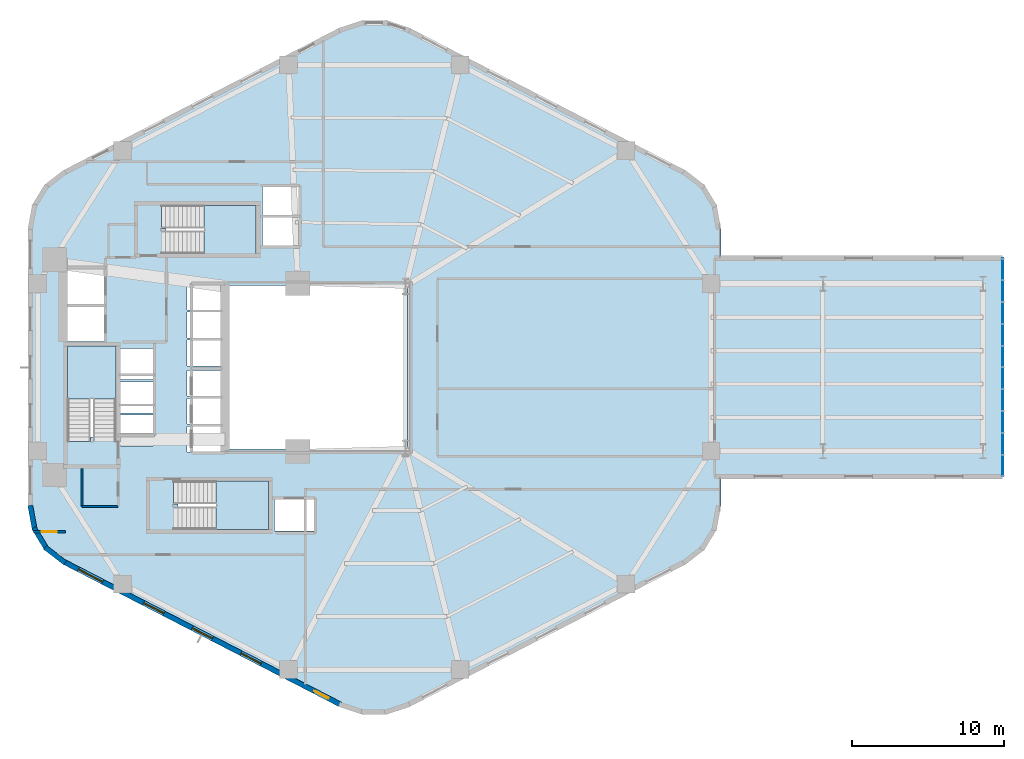
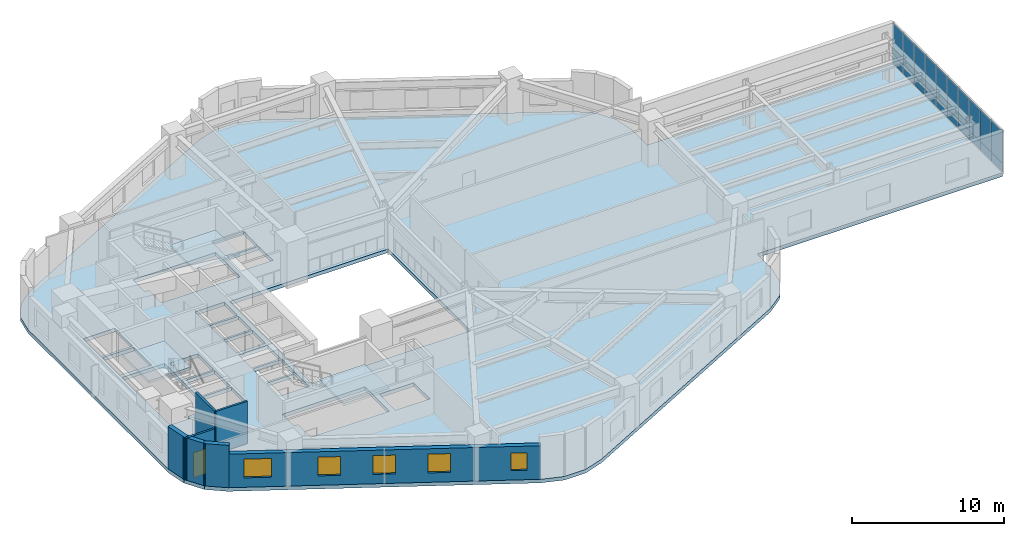
# One storey, part 4 of 10: 20 plates, 7 walls, 5 windows, 4 slabs, 1 door, 6 openings, 4 elements without a shape of their own.
"""IFC4 building model written with IfcOpenShell, lengths in metres."""

import ifcopenshell
import ifcopenshell.guid

model = None  # the IFC model being written
_history = None  # IfcOwnerHistory: only IFC2X3 demands one
_inside = {}  # id of a spatial element -> (the spatial element, [elements in it])
_under = {}  # id of a project, library or spatial element -> (it, [spatial elements below it])
_declared = {}  # id of a project -> (the project, [libraries it declares])
_typed = {}  # id of a type object -> (the type object, [elements of that type])
_made_of = {}  # id of a material, layer set ... -> (it, [elements and type objects made of it])


def new_model(schema):
    """Start an empty IFC model of exactly this schema.

    Asked for "IFC4X3", IfcOpenShell would pick the latest addendum, in which some entities
    have other attributes; the version numbers below select the first issue.
    IFC2X3 requires an IfcOwnerHistory on every rooted entity: one is made here for all.
    """
    global model, _history
    if schema == "IFC4X3":
        model = ifcopenshell.file(schema_version=(4, 3, 0, 0))
    else:
        model = ifcopenshell.file(schema=schema)
    _inside.clear()
    _under.clear()
    _declared.clear()
    _typed.clear()
    _made_of.clear()
    _history = None
    if model.schema == "IFC2X3":
        org = make("IfcOrganization", Name="unknown")
        user = make(
            "IfcPersonAndOrganization",
            ThePerson=make("IfcPerson", FamilyName="unknown"),
            TheOrganization=org,
        )
        app = make(
            "IfcApplication",
            ApplicationDeveloper=org,
            Version="unknown",
            ApplicationFullName="unknown",
            ApplicationIdentifier="unknown",
        )
        _history = make(
            "IfcOwnerHistory",
            OwningUser=user,
            OwningApplication=app,
            ChangeAction="ADDED",
            CreationDate=0,
        )
    return model


def make(cls, **values):
    """One entity of the class cls with the attributes given. An attribute that is None is left unset."""
    return model.create_entity(
        cls, **{name: value for name, value in values.items() if value is not None}
    )


def rooted(cls, **values):
    """An entity with a GlobalId (a new one), such as an element, a storey or a relation."""
    return make(cls, GlobalId=ifcopenshell.guid.new(), OwnerHistory=_history, **values)


def si_unit(unit_type, name, prefix=None):
    """IfcSIUnit, for example si_unit("LENGTHUNIT", "METRE", prefix="MILLI")."""
    return make("IfcSIUnit", UnitType=unit_type, Prefix=prefix, Name=name)


def assignment(units):
    """IfcUnitAssignment: the units of a project."""
    return None if units is None else make("IfcUnitAssignment", Units=units)


def point(xyz):
    """IfcCartesianPoint."""
    return None if xyz is None else make("IfcCartesianPoint", Coordinates=xyz)


def direction(xyz):
    """IfcDirection."""
    return None if xyz is None else make("IfcDirection", DirectionRatios=xyz)


def frame(location, z_axis=None, x_axis=None):
    """IfcAxis2Placement3D, a coordinate frame: its origin and axes. An axis left out is left unset."""
    return make(
        "IfcAxis2Placement3D",
        Location=point(location),
        Axis=direction(z_axis),
        RefDirection=direction(x_axis),
    )


def frame_2d(location, x_axis=None):
    """IfcAxis2Placement2D, a coordinate frame in the plane: its origin and x axis."""
    return make(
        "IfcAxis2Placement2D", Location=point(location), RefDirection=direction(x_axis)
    )


def origin():
    """The frame at (0, 0, 0) with its axes left unset."""
    return frame((0.0, 0.0, 0.0))


def origin_2d():
    """The frame at (0, 0) in the plane with its x axis left unset."""
    return frame_2d((0.0, 0.0))


def place(relative_to, where):
    """IfcLocalPlacement: puts the frame where relative to a parent placement (None: the world)."""
    return make(
        "IfcLocalPlacement", PlacementRelTo=relative_to, RelativePlacement=where
    )


def context(
    kind, dimensions, precision=None, world=None, true_north=None, identifier=None
):
    """IfcGeometricRepresentationContext, for example the 3D "Model" context."""
    return make(
        "IfcGeometricRepresentationContext",
        ContextIdentifier=identifier,
        ContextType=kind,
        CoordinateSpaceDimension=dimensions,
        Precision=precision,
        WorldCoordinateSystem=world,
        TrueNorth=true_north,
    )


def subcontext(parent, identifier, kind, view, scale=None):
    """IfcGeometricRepresentationSubContext, for example "Body" below "Model"."""
    return make(
        "IfcGeometricRepresentationSubContext",
        ContextIdentifier=identifier,
        ContextType=kind,
        ParentContext=parent,
        TargetScale=scale,
        TargetView=view,
    )


def project(units=None, contexts=None):
    """IfcProject with its units and contexts."""
    return rooted(
        "IfcProject",
        Name="project",
        RepresentationContexts=contexts,
        UnitsInContext=assignment(units),
    )


def spatial(cls, under=None, at=None, **own):
    """A site, building, storey or space (cls), placed at a placement, below another one or the project."""
    s = rooted(cls, ObjectPlacement=at, **own)
    if under is not None:
        _under.setdefault(under.id(), (under, []))[1].append(s)
    return s


def polyline(points):
    """IfcPolyline through the points."""
    return make("IfcPolyline", Points=[point(p) for p in points])


def profile(cls, at=None, kind="AREA", **sizes):
    """A parametric profile (cls). Its sizes go by their IFC names, for example OverallWidth=200.0."""
    return make(cls, ProfileType=kind, Position=at, **sizes)


def rectangle(**sizes):
    """IfcRectangleProfileDef."""
    return profile("IfcRectangleProfileDef", **sizes)


def outline(outer, holes=None, kind="AREA"):
    """IfcArbitraryClosedProfileDef: a profile drawn as a closed curve; with holes, ...WithVoids."""
    if holes is None:
        return make("IfcArbitraryClosedProfileDef", ProfileType=kind, OuterCurve=outer)
    return make(
        "IfcArbitraryProfileDefWithVoids",
        ProfileType=kind,
        OuterCurve=outer,
        InnerCurves=holes,
    )


def extrude(swept, where, along, depth):
    """IfcExtrudedAreaSolid: the profile swept, set in the frame where, extruded along a direction by depth."""
    return make(
        "IfcExtrudedAreaSolid",
        SweptArea=swept,
        Position=where,
        ExtrudedDirection=direction(along),
        Depth=depth,
    )


def shape(context_of_items, identifier, shape_type, items):
    """IfcShapeRepresentation: the items that make up one representation, for example the "Body"."""
    return make(
        "IfcShapeRepresentation",
        ContextOfItems=context_of_items,
        RepresentationIdentifier=identifier,
        RepresentationType=shape_type,
        Items=items,
    )


def material(Name=None, Category=None):
    """IfcMaterial."""
    return make("IfcMaterial", Name=Name, Category=Category)


def layer(
    of_material, thickness, ventilated=None, Name=None, Category=None, Priority=None
):
    """IfcMaterialLayer: one layer of a wall or slab, of a material (None: an air gap)."""
    return make(
        "IfcMaterialLayer",
        Material=of_material,
        LayerThickness=thickness,
        IsVentilated=ventilated,
        Name=Name,
        Category=Category,
        Priority=Priority,
    )


def layer_set(layers, Name=None):
    """IfcMaterialLayerSet."""
    return make("IfcMaterialLayerSet", MaterialLayers=layers, LayerSetName=Name)


def made_of(thing, what):
    """Note that an element or type object is made of a material, layer set ...; save() writes the relation."""
    if what is not None:
        _made_of.setdefault(what.id(), (what, []))[1].append(thing)
    return thing


def type_object(cls, material=None, **own):
    """A type object (cls), such as IfcWallType, which elements share."""
    return made_of(rooted(cls, **own), material)


def element(
    cls,
    number,
    at=None,
    inside=None,
    cuts=None,
    type_object=None,
    material=None,
    context=None,
    identifier="Body",
    shape_type=None,
    held_by="IfcProductDefinitionShape",
    body=None,
    shapes=None,
    **own,
):
    """One element of the class cls, such as IfcWall. Its Tag is "e" and its number.

    at: its placement. inside: the storey or other place that contains it. cuts: it is an
    opening in that element (IfcRelVoidsElement). A single representation is given by context,
    identifier, shape_type and body (its items); several are given by shapes. held_by: the class
    of the entity that holds the representations. save() writes the other relations.
    """
    e = rooted(cls, Tag="e%d" % number, ObjectPlacement=at, **own)
    if body is not None:
        shapes = [shape(context, identifier, shape_type, body)]
    if shapes is not None:
        e.Representation = make(held_by, Representations=shapes)
    if inside is not None:
        _inside.setdefault(inside.id(), (inside, []))[1].append(e)
    if cuts is not None:
        rooted(
            "IfcRelVoidsElement", RelatingBuildingElement=cuts, RelatedOpeningElement=e
        )
    if type_object is not None:
        _typed.setdefault(type_object.id(), (type_object, []))[1].append(e)
    return made_of(e, material)


def fill(opening, filler):
    """IfcRelFillsElement: the door or window that sits in an opening."""
    return rooted(
        "IfcRelFillsElement",
        RelatingOpeningElement=opening,
        RelatedBuildingElement=filler,
    )


def aggregate(whole, parts):
    """IfcRelAggregates: a whole, such as a stair, and the parts it consists of."""
    return rooted("IfcRelAggregates", RelatingObject=whole, RelatedObjects=parts)


def save(model, path):
    """Write the relations noted so far, then the file.

    IfcRelAggregates (storeys below a building ...), IfcRelContainedInSpatialStructure (elements
    in a storey), IfcRelDefinesByType, IfcRelAssociatesMaterial and IfcRelDeclares: one each for
    every whole, place, type object, material and project.
    """
    for whole, parts in _under.values():
        aggregate(whole, parts)
    for where, things in _inside.values():
        rooted(
            "IfcRelContainedInSpatialStructure",
            RelatedElements=things,
            RelatingStructure=where,
        )
    for kind, things in _typed.values():
        rooted("IfcRelDefinesByType", RelatedObjects=things, RelatingType=kind)
    for what, things in _made_of.values():
        rooted("IfcRelAssociatesMaterial", RelatedObjects=things, RelatingMaterial=what)
    for by, libraries in _declared.values():
        rooted("IfcRelDeclares", RelatingContext=by, RelatedDefinitions=libraries)
    model.write(path)


model = new_model("IFC4")

# Units and contexts
model_context = context("Model", 3, precision=1e-05, world=origin(), true_north=direction((0.0, 1.0)))
body_context = subcontext(model_context, "Body", "Model", "MODEL_VIEW")
ifc_project = project(units=[si_unit("LENGTHUNIT", "METRE"), si_unit("AREAUNIT", "SQUARE_METRE"), si_unit("VOLUMEUNIT", "CUBIC_METRE"), si_unit("PLANEANGLEUNIT", "RADIAN"), si_unit("MASSUNIT", "GRAM", prefix="KILO"), si_unit("THERMODYNAMICTEMPERATUREUNIT", "KELVIN"), si_unit("POWERUNIT", "WATT")], contexts=[model_context])

# Site, building, storey
site_placement = place(None, origin())
site = spatial("IfcSite", under=ifc_project, at=site_placement, CompositionType="ELEMENT")
building_placement = place(site_placement, origin())
building = spatial("IfcBuilding", under=site, at=building_placement, Name="Skarre Station Tower", CompositionType="ELEMENT")
storey_placement = place(building_placement, frame((0.0, 0.0, 59.85009765625)))
storey = spatial("IfcBuildingStorey", under=building, at=storey_placement, Name="L15", CompositionType="ELEMENT", Elevation=59.85009765625)

# Curtain wall, plates
ifc_material_1 = material(Name="Thermally Broken Bronze-Anodized Aluminium & Triple Low-E Glass", Category="aluminium")
ifc_layer_1 = layer(ifc_material_1, 0.2099609375, Name="Thermally Broken Bronze-Anodized Aluminium & Triple Low-E Glass")
ifc_layer_set_1 = layer_set([ifc_layer_1], Name="Thermally Broken Bronze-Anodized Aluminium & Triple Low-E Glass")
curtain_wall_type = type_object("IfcCurtainWallType", Name="Sky-Bar Prow Structural Glazed Curtain Wall", PredefinedType="NOTDEFINED", material=ifc_layer_set_1)
curtain_wall_placement = place(storey_placement, origin())
curtain_wall = element("IfcCurtainWall", 1, at=curtain_wall_placement, inside=storey, type_object=curtain_wall_type, Name="L15 SB-1 Lakefront Prow Curtain Wall", PredefinedType="NOTDEFINED")
ifc_material_2 = material(Name="Insulated Bronze Anodized Aluminium Spandrel", Category="aluminium")
ifc_layer_2 = layer(ifc_material_2, 0.052001953125, Name="Insulated Bronze Anodized Aluminium Spandrel")
ifc_layer_set_2 = layer_set([ifc_layer_2], Name="Insulated Bronze Anodized Aluminium Spandrel")
plate_type_1 = type_object("IfcPlateType", Name="Bronze Insulated Spandrel Sheet Panel 52", PredefinedType="SHEET", material=ifc_layer_set_2)
plate_1_placement = place(storey_placement, frame((78.863037109375, 30.47998046875, 0.052001953125), z_axis=(0.0, 0.0, 1.0), x_axis=(0.0, -1.0, 0.0)))
plate_1 = element("IfcPlate", 2, at=plate_1_placement, type_object=plate_type_1, Name="L15 SB-1 Lakefront Prow Curtain Wall Spandrel Panel 1-1", PredefinedType="SHEET", context=body_context, shape_type="SweptSolid", body=[
    extrude(rectangle(XDim=1.416015625, YDim=0.052001953125, at=origin_2d()), origin(), (0.0, 0.0, 1.0), 0.68603515625),
])
plate_2_placement = place(storey_placement, frame((78.863037109375, 29.0400390625, 0.052001953125), z_axis=(0.0, 0.0, 1.0), x_axis=(0.0, -1.0, 0.0)))
plate_2 = element("IfcPlate", 3, at=plate_2_placement, type_object=plate_type_1, Name="L15 SB-1 Lakefront Prow Curtain Wall Spandrel Panel 2-1", PredefinedType="SHEET", context=body_context, shape_type="SweptSolid", body=[
    extrude(rectangle(XDim=1.416015625, YDim=0.052001953125, at=origin_2d()), origin(), (0.0, 0.0, 1.0), 0.68603515625),
])
plate_3_placement = place(storey_placement, frame((78.863037109375, 27.60009765625, 0.052001953125), z_axis=(0.0, 0.0, 1.0), x_axis=(0.0, -1.0, 0.0)))
plate_3 = element("IfcPlate", 4, at=plate_3_placement, type_object=plate_type_1, Name="L15 SB-1 Lakefront Prow Curtain Wall Spandrel Panel 3-1", PredefinedType="SHEET", context=body_context, shape_type="SweptSolid", body=[
    extrude(rectangle(XDim=1.416015625, YDim=0.052001953125, at=origin_2d()), origin(), (0.0, 0.0, 1.0), 0.68603515625),
])
plate_4_placement = place(storey_placement, frame((78.863037109375, 26.159912109375, 0.052001953125), z_axis=(0.0, 0.0, 1.0), x_axis=(0.0, -1.0, 0.0)))
plate_4 = element("IfcPlate", 5, at=plate_4_placement, type_object=plate_type_1, Name="L15 SB-1 Lakefront Prow Curtain Wall Spandrel Panel 4-1", PredefinedType="SHEET", context=body_context, shape_type="SweptSolid", body=[
    extrude(rectangle(XDim=1.416015625, YDim=0.052001953125, at=origin_2d()), origin(), (0.0, 0.0, 1.0), 0.68603515625),
])
plate_5_placement = place(storey_placement, frame((78.863037109375, 24.719970703125, 0.052001953125), z_axis=(0.0, 0.0, 1.0), x_axis=(0.0, -1.0, 0.0)))
plate_5 = element("IfcPlate", 6, at=plate_5_placement, type_object=plate_type_1, Name="L15 SB-1 Lakefront Prow Curtain Wall Spandrel Panel 5-1", PredefinedType="SHEET", context=body_context, shape_type="SweptSolid", body=[
    extrude(rectangle(XDim=1.416015625, YDim=0.052001953125, at=origin_2d()), origin(), (0.0, 0.0, 1.0), 0.68603515625),
])
plate_6_placement = place(storey_placement, frame((78.863037109375, 23.280029296875, 0.052001953125), z_axis=(0.0, 0.0, 1.0), x_axis=(0.0, -1.0, 0.0)))
plate_6 = element("IfcPlate", 7, at=plate_6_placement, type_object=plate_type_1, Name="L15 SB-1 Lakefront Prow Curtain Wall Spandrel Panel 6-1", PredefinedType="SHEET", context=body_context, shape_type="SweptSolid", body=[
    extrude(rectangle(XDim=1.416015625, YDim=0.052001953125, at=origin_2d()), origin(), (0.0, 0.0, 1.0), 0.68603515625),
])
plate_7_placement = place(storey_placement, frame((78.863037109375, 21.840087890625, 0.052001953125), z_axis=(0.0, 0.0, 1.0), x_axis=(0.0, -1.0, 0.0)))
plate_7 = element("IfcPlate", 8, at=plate_7_placement, type_object=plate_type_1, Name="L15 SB-1 Lakefront Prow Curtain Wall Spandrel Panel 7-1", PredefinedType="SHEET", context=body_context, shape_type="SweptSolid", body=[
    extrude(rectangle(XDim=1.416015625, YDim=0.052001953125, at=origin_2d()), origin(), (0.0, 0.0, 1.0), 0.68603515625),
])
plate_8_placement = place(storey_placement, frame((78.863037109375, 20.39990234375, 0.052001953125), z_axis=(0.0, 0.0, 1.0), x_axis=(0.0, -1.0, 0.0)))
plate_8 = element("IfcPlate", 9, at=plate_8_placement, type_object=plate_type_1, Name="L15 SB-1 Lakefront Prow Curtain Wall Spandrel Panel 8-1", PredefinedType="SHEET", context=body_context, shape_type="SweptSolid", body=[
    extrude(rectangle(XDim=1.416015625, YDim=0.052001953125, at=origin_2d()), origin(), (0.0, 0.0, 1.0), 0.68603515625),
])
plate_9_placement = place(storey_placement, frame((78.863037109375, 18.9599609375, 0.052001953125), z_axis=(0.0, 0.0, 1.0), x_axis=(0.0, -1.0, 0.0)))
plate_9 = element("IfcPlate", 10, at=plate_9_placement, type_object=plate_type_1, Name="L15 SB-1 Lakefront Prow Curtain Wall Spandrel Panel 9-1", PredefinedType="SHEET", context=body_context, shape_type="SweptSolid", body=[
    extrude(rectangle(XDim=1.416015625, YDim=0.052001953125, at=origin_2d()), origin(), (0.0, 0.0, 1.0), 0.68603515625),
])
plate_10_placement = place(storey_placement, frame((78.863037109375, 17.52001953125, 0.052001953125), z_axis=(0.0, 0.0, 1.0), x_axis=(0.0, -1.0, 0.0)))
plate_10 = element("IfcPlate", 11, at=plate_10_placement, type_object=plate_type_1, Name="L15 SB-1 Lakefront Prow Curtain Wall Spandrel Panel 10-1", PredefinedType="SHEET", context=body_context, shape_type="SweptSolid", body=[
    extrude(rectangle(XDim=1.416015625, YDim=0.052001953125, at=origin_2d()), origin(), (0.0, 0.0, 1.0), 0.68603515625),
])

# Stair, slab
ifc_material_3 = material(Name="Concrete C40/50", Category="concrete")
stair_type_1 = type_object("IfcStairType", Name="Reinforced Concrete Exit Stair ST-1", PredefinedType="HALF_TURN_STAIR", material=ifc_material_3)
stair_1_placement = place(storey_placement, origin())
stair_1 = element("IfcStair", 12, at=stair_1_placement, inside=storey, type_object=stair_type_1, Name="L15 Core Exit Stair ST-1", PredefinedType="HALF_TURN_STAIR")
ifc_layer_3 = layer(ifc_material_3, 0.219970703125, Name="Concrete C40/50")
ifc_layer_set_3 = layer_set([ifc_layer_3], Name="Concrete C40/50")
slab_type_1 = type_object("IfcSlabType", Name="Reinforced Concrete Stair & Ramp Landing 220", PredefinedType="LANDING", material=ifc_layer_set_3)
slab_1_placement = place(storey_placement, frame((0.0, 0.0, 1.625)))
slab_1 = element("IfcSlab", 13, at=slab_1_placement, type_object=slab_type_1, Name="ST-1 landing 1", PredefinedType="LANDING", context=body_context, shape_type="SweptSolid", body=[
    extrude(outline(polyline([(20.35009765625, 21.919921875), (20.35009765625, 25.39990234375), (17.14990234375, 25.39990234375), (17.14990234375, 21.919921875), (20.35009765625, 21.919921875)])), origin(), (0.0, 0.0, 1.0), 0.199951171875),
])
aggregate(stair_1, [slab_1])

stair_type_2 = type_object("IfcStairType", Name="Reinforced Concrete Exit Stair ST-2", PredefinedType="HALF_TURN_STAIR", material=ifc_material_3)
stair_2_placement = place(storey_placement, origin())
stair_2 = element("IfcStair", 14, at=stair_2_placement, inside=storey, type_object=stair_type_2, Name="L15 Core Exit Stair ST-2", PredefinedType="HALF_TURN_STAIR")
slab_2_placement = place(storey_placement, frame((0.0, 0.0, 1.625)))
slab_2 = element("IfcSlab", 15, at=slab_2_placement, type_object=slab_type_1, Name="ST-2 landing 1", PredefinedType="LANDING", context=body_context, shape_type="SweptSolid", body=[
    extrude(outline(polyline([(26.949951171875, 13.300048828125), (30.39990234375, 13.300048828125), (30.39990234375, 16.5), (26.949951171875, 16.5), (26.949951171875, 13.300048828125)])), origin(), (0.0, 0.0, 1.0), 0.199951171875),
])
aggregate(stair_2, [slab_2])

stair_type_3 = type_object("IfcStairType", Name="Reinforced Concrete Exit Stair ST-3", PredefinedType="HALF_TURN_STAIR", material=ifc_material_3)
stair_3_placement = place(storey_placement, origin())
stair_3 = element("IfcStair", 16, at=stair_3_placement, inside=storey, type_object=stair_type_3, Name="L15 Core Exit Stair ST-3", PredefinedType="HALF_TURN_STAIR")
slab_3_placement = place(storey_placement, frame((0.0, 0.0, 1.625)))
slab_3 = element("IfcSlab", 17, at=slab_3_placement, type_object=slab_type_1, Name="ST-3 landing 1", PredefinedType="LANDING", context=body_context, shape_type="SweptSolid", body=[
    extrude(outline(polyline([(26.14990234375, 31.5), (29.60009765625, 31.5), (29.60009765625, 34.699951171875), (26.14990234375, 34.699951171875), (26.14990234375, 31.5)])), origin(), (0.0, 0.0, 1.0), 0.199951171875),
])
aggregate(stair_3, [slab_3])

# Slab
ifc_material_4 = material(Name="Concrete C50/60", Category="concrete")
ifc_layer_4 = layer(ifc_material_4, 0.2900390625, Name="Concrete C50/60")
ifc_layer_set_4 = layer_set([ifc_layer_4], Name="Concrete C50/60")
slab_type_2 = type_object("IfcSlabType", Name="Sky-Bar Composite Floor Slab 290", PredefinedType="FLOOR", material=ifc_layer_set_4)
slab_4_placement = place(storey_placement, frame((0.0, 0.0, -0.2900390625)))
element("IfcSlab", 18, at=slab_4_placement, inside=storey, type_object=slab_type_2, Name="L15 Tower and SB-1 Floor Slab", PredefinedType="FLOOR", context=body_context, shape_type="SweptSolid", body=[
    extrude(outline(polyline([(60.262939453125, 16.800048828125), (78.863037109375, 16.800048828125), (78.863037109375, 31.199951171875), (60.262939453125, 31.199951171875), (60.262939453125, 33.201904296875), (59.98193359375, 34.72412109375), (59.177001953125, 36.044921875), (57.9541015625, 36.991943359375), (39.708984375, 46.407958984375), (38.196044921875, 46.906005859375), (36.60400390625, 46.906005859375), (35.091064453125, 46.407958984375), (16.845947265625, 36.991943359375), (15.623046875, 36.044921875), (14.818115234375, 34.72412109375), (14.537109375, 33.201904296875), (14.537109375, 14.798095703125), (14.818115234375, 13.27587890625), (15.623046875, 11.955078125), (16.845947265625, 11.008056640625), (35.091064453125, 1.592041015625), (36.60400390625, 1.093994140625), (38.196044921875, 1.093994140625), (39.708984375, 1.592041015625), (57.9541015625, 11.008056640625), (59.177001953125, 11.955078125), (59.98193359375, 13.27587890625), (60.262939453125, 14.798095703125), (60.262939453125, 16.800048828125)]), holes=[polyline([(18.669921875, 19.419921875), (18.669921875, 19.123046875), (17.14990234375, 19.123046875), (17.14990234375, 25.39990234375), (20.35009765625, 25.39990234375), (20.35009765625, 19.419921875), (18.669921875, 19.419921875)]), polyline([(24.449951171875, 14.97998046875), (24.153076171875, 14.97998046875), (24.153076171875, 16.5), (30.39990234375, 16.5), (30.39990234375, 13.300048828125), (24.449951171875, 13.300048828125), (24.449951171875, 14.97998046875)]), polyline([(23.64990234375, 33.179931640625), (23.35302734375, 33.179931640625), (23.35302734375, 34.699951171875), (29.60009765625, 34.699951171875), (29.60009765625, 31.5), (23.64990234375, 31.5), (23.64990234375, 33.179931640625)]), polyline([(17.14990234375, 28.0), (19.550048828125, 28.0), (19.550048828125, 25.699951171875), (17.14990234375, 25.699951171875), (17.14990234375, 28.0)]), polyline([(17.14990234375, 30.5), (19.550048828125, 30.5), (19.550048828125, 28.199951171875), (17.14990234375, 28.199951171875), (17.14990234375, 30.5)]), polyline([(30.800048828125, 15.300048828125), (33.39990234375, 15.300048828125), (33.39990234375, 13.199951171875), (30.800048828125, 13.199951171875), (30.800048828125, 15.300048828125)]), polyline([(25.050048828125, 20.10009765625), (27.25, 20.10009765625), (27.25, 18.39990234375), (25.050048828125, 18.39990234375), (25.050048828125, 20.10009765625)]), polyline([(25.050048828125, 21.949951171875), (27.25, 21.949951171875), (27.25, 20.25), (25.050048828125, 20.25), (25.050048828125, 21.949951171875)]), polyline([(25.050048828125, 23.800048828125), (27.25, 23.800048828125), (27.25, 22.10009765625), (25.050048828125, 22.10009765625), (25.050048828125, 23.800048828125)]), polyline([(25.050048828125, 25.800048828125), (27.25, 25.800048828125), (27.25, 24.10009765625), (25.050048828125, 24.10009765625), (25.050048828125, 25.800048828125)]), polyline([(25.050048828125, 27.64990234375), (27.25, 27.64990234375), (27.25, 25.949951171875), (25.050048828125, 25.949951171875), (25.050048828125, 27.64990234375)]), polyline([(25.050048828125, 29.5), (27.25, 29.5), (27.25, 27.800048828125), (25.050048828125, 27.800048828125), (25.050048828125, 29.5)]), polyline([(20.64990234375, 20.85009765625), (22.800048828125, 20.85009765625), (22.800048828125, 18.800048828125), (20.64990234375, 18.800048828125), (20.64990234375, 20.85009765625)]), polyline([(20.64990234375, 23.050048828125), (22.800048828125, 23.050048828125), (22.800048828125, 21.0), (20.64990234375, 21.0), (20.64990234375, 23.050048828125)]), polyline([(20.64990234375, 25.25), (22.800048828125, 25.25), (22.800048828125, 23.199951171875), (20.64990234375, 23.199951171875), (20.64990234375, 25.25)]), polyline([(30.0, 33.89990234375), (32.39990234375, 33.89990234375), (32.39990234375, 32.050048828125), (30.0, 32.050048828125), (30.0, 33.89990234375)]), polyline([(30.0, 35.89990234375), (32.39990234375, 35.89990234375), (32.39990234375, 34.050048828125), (30.0, 34.050048828125), (30.0, 35.89990234375)]), polyline([(27.60009765625, 29.39990234375), (39.60009765625, 29.39990234375), (39.60009765625, 18.60009765625), (27.60009765625, 18.60009765625), (27.60009765625, 29.39990234375)])]), origin(), (0.0, 0.0, 1.0), 0.2900390625),
])

# Plate
ifc_material_5 = material(Name="Low-Iron Triple Insulating Glass Unit", Category="glass")
ifc_layer_5 = layer(ifc_material_5, 0.0439453125, Name="Low-Iron Triple Insulating Glass Unit")
ifc_layer_set_5 = layer_set([ifc_layer_5], Name="Low-Iron Triple Insulating Glass Unit")
plate_type_2 = type_object("IfcPlateType", Name="Triple-Glazed Vision Curtain Panel 44", PredefinedType="CURTAIN_PANEL", material=ifc_layer_set_5)
plate_11_placement = place(storey_placement, frame((78.863037109375, 30.47998046875, 0.76171875), z_axis=(0.0, 0.0, 1.0), x_axis=(0.0, -1.0, 0.0)))
plate_11 = element("IfcPlate", 19, at=plate_11_placement, type_object=plate_type_2, Name="L15 SB-1 Lakefront Prow Curtain Wall Vision Panel 1-2", PredefinedType="CURTAIN_PANEL", context=body_context, shape_type="SweptSolid", body=[
    extrude(rectangle(XDim=1.416015625, YDim=0.0439453125, at=origin_2d()), origin(), (0.0, 0.0, 1.0), 2.575927734375),
])

plate_12_placement = place(storey_placement, frame((78.863037109375, 29.0400390625, 0.76171875), z_axis=(0.0, 0.0, 1.0), x_axis=(0.0, -1.0, 0.0)))
plate_12 = element("IfcPlate", 20, at=plate_12_placement, type_object=plate_type_2, Name="L15 SB-1 Lakefront Prow Curtain Wall Vision Panel 2-2", PredefinedType="CURTAIN_PANEL", context=body_context, shape_type="SweptSolid", body=[
    extrude(rectangle(XDim=1.416015625, YDim=0.0439453125, at=origin_2d()), origin(), (0.0, 0.0, 1.0), 2.575927734375),
])

plate_13_placement = place(storey_placement, frame((78.863037109375, 27.60009765625, 0.76171875), z_axis=(0.0, 0.0, 1.0), x_axis=(0.0, -1.0, 0.0)))
plate_13 = element("IfcPlate", 21, at=plate_13_placement, type_object=plate_type_2, Name="L15 SB-1 Lakefront Prow Curtain Wall Vision Panel 3-2", PredefinedType="CURTAIN_PANEL", context=body_context, shape_type="SweptSolid", body=[
    extrude(rectangle(XDim=1.416015625, YDim=0.0439453125, at=origin_2d()), origin(), (0.0, 0.0, 1.0), 2.575927734375),
])

plate_14_placement = place(storey_placement, frame((78.863037109375, 26.159912109375, 0.76171875), z_axis=(0.0, 0.0, 1.0), x_axis=(0.0, -1.0, 0.0)))
plate_14 = element("IfcPlate", 22, at=plate_14_placement, type_object=plate_type_2, Name="L15 SB-1 Lakefront Prow Curtain Wall Vision Panel 4-2", PredefinedType="CURTAIN_PANEL", context=body_context, shape_type="SweptSolid", body=[
    extrude(rectangle(XDim=1.416015625, YDim=0.0439453125, at=origin_2d()), origin(), (0.0, 0.0, 1.0), 2.575927734375),
])

plate_15_placement = place(storey_placement, frame((78.863037109375, 24.719970703125, 0.76171875), z_axis=(0.0, 0.0, 1.0), x_axis=(0.0, -1.0, 0.0)))
plate_15 = element("IfcPlate", 23, at=plate_15_placement, type_object=plate_type_2, Name="L15 SB-1 Lakefront Prow Curtain Wall Vision Panel 5-2", PredefinedType="CURTAIN_PANEL", context=body_context, shape_type="SweptSolid", body=[
    extrude(rectangle(XDim=1.416015625, YDim=0.0439453125, at=origin_2d()), origin(), (0.0, 0.0, 1.0), 2.575927734375),
])

plate_16_placement = place(storey_placement, frame((78.863037109375, 23.280029296875, 0.76171875), z_axis=(0.0, 0.0, 1.0), x_axis=(0.0, -1.0, 0.0)))
plate_16 = element("IfcPlate", 24, at=plate_16_placement, type_object=plate_type_2, Name="L15 SB-1 Lakefront Prow Curtain Wall Vision Panel 6-2", PredefinedType="CURTAIN_PANEL", context=body_context, shape_type="SweptSolid", body=[
    extrude(rectangle(XDim=1.416015625, YDim=0.0439453125, at=origin_2d()), origin(), (0.0, 0.0, 1.0), 2.575927734375),
])

plate_17_placement = place(storey_placement, frame((78.863037109375, 21.840087890625, 0.76171875), z_axis=(0.0, 0.0, 1.0), x_axis=(0.0, -1.0, 0.0)))
plate_17 = element("IfcPlate", 25, at=plate_17_placement, type_object=plate_type_2, Name="L15 SB-1 Lakefront Prow Curtain Wall Vision Panel 7-2", PredefinedType="CURTAIN_PANEL", context=body_context, shape_type="SweptSolid", body=[
    extrude(rectangle(XDim=1.416015625, YDim=0.0439453125, at=origin_2d()), origin(), (0.0, 0.0, 1.0), 2.575927734375),
])

plate_18_placement = place(storey_placement, frame((78.863037109375, 20.39990234375, 0.76171875), z_axis=(0.0, 0.0, 1.0), x_axis=(0.0, -1.0, 0.0)))
plate_18 = element("IfcPlate", 26, at=plate_18_placement, type_object=plate_type_2, Name="L15 SB-1 Lakefront Prow Curtain Wall Vision Panel 8-2", PredefinedType="CURTAIN_PANEL", context=body_context, shape_type="SweptSolid", body=[
    extrude(rectangle(XDim=1.416015625, YDim=0.0439453125, at=origin_2d()), origin(), (0.0, 0.0, 1.0), 2.575927734375),
])

plate_19_placement = place(storey_placement, frame((78.863037109375, 18.9599609375, 0.76171875), z_axis=(0.0, 0.0, 1.0), x_axis=(0.0, -1.0, 0.0)))
plate_19 = element("IfcPlate", 27, at=plate_19_placement, type_object=plate_type_2, Name="L15 SB-1 Lakefront Prow Curtain Wall Vision Panel 9-2", PredefinedType="CURTAIN_PANEL", context=body_context, shape_type="SweptSolid", body=[
    extrude(rectangle(XDim=1.416015625, YDim=0.0439453125, at=origin_2d()), origin(), (0.0, 0.0, 1.0), 2.575927734375),
])

plate_20_placement = place(storey_placement, frame((78.863037109375, 17.52001953125, 0.76171875), z_axis=(0.0, 0.0, 1.0), x_axis=(0.0, -1.0, 0.0)))
plate_20 = element("IfcPlate", 28, at=plate_20_placement, type_object=plate_type_2, Name="L15 SB-1 Lakefront Prow Curtain Wall Vision Panel 10-2", PredefinedType="CURTAIN_PANEL", context=body_context, shape_type="SweptSolid", body=[
    extrude(rectangle(XDim=1.416015625, YDim=0.0439453125, at=origin_2d()), origin(), (0.0, 0.0, 1.0), 2.575927734375),
])

aggregate(curtain_wall, [plate_1, plate_11, plate_2, plate_12, plate_3, plate_13, plate_4, plate_14, plate_5, plate_15, plate_6, plate_16, plate_7, plate_17, plate_8, plate_18, plate_9, plate_19, plate_10, plate_20])

# Walls
ifc_material_6 = material(Name="Acoustic Steel-Stud Gypsum Partition", Category="steel")
ifc_layer_6 = layer(ifc_material_6, 0.14990234375, Name="Acoustic Steel-Stud Gypsum Partition")
ifc_layer_set_6 = layer_set([ifc_layer_6], Name="Acoustic Steel-Stud Gypsum Partition")
wall_type_1 = type_object("IfcWallType", Name="Fire-Rated Corridor Acoustic Partition 150", PredefinedType="PARTITIONING", material=ifc_layer_set_6)
wall_1_placement = place(storey_placement, frame((18.10009765625, 17.340087890625, 0.0), z_axis=(0.0, 0.0, 1.0), x_axis=(0.0, -1.0, 0.0)))
element("IfcWall", 29, at=wall_1_placement, inside=storey, type_object=wall_type_1, Name="L15 Interior Partition WL-PT-L15-CSVC-W", PredefinedType="PARTITIONING", context=body_context, shape_type="SweptSolid", body=[
    extrude(rectangle(XDim=2.52001953125, YDim=0.14990234375, at=frame_2d((1.260009765625, 0.0))), origin(), (0.0, 0.0, 1.0), 3.389892578125),
])
wall_2_placement = place(storey_placement, frame((18.10009765625, 14.820068359375, 0.0), z_axis=(0.0, 0.0, 1.0), x_axis=(1.0, 0.0, 0.0)))
element("IfcWall", 30, at=wall_2_placement, inside=storey, type_object=wall_type_1, Name="L15 Interior Partition WL-PT-L15-CSVC-S", PredefinedType="PARTITIONING", context=body_context, shape_type="SweptSolid", body=[
    extrude(rectangle(XDim=2.389892578125, YDim=0.14990234375, at=frame_2d((1.19482421875, 0.0))), origin(), (0.0, 0.0, 1.0), 3.389892578125),
])

# Wall, opening, door
wall_3_placement = place(storey_placement, frame((17.02001953125, 13.159912109375, 0.0), z_axis=(0.0, 0.0, 1.0), x_axis=(-1.0, 0.0, 0.0)))
wall_3 = element("IfcWall", 31, at=wall_3_placement, inside=storey, type_object=wall_type_1, Name="L15 Interior Partition WL-PT-L15-WW1-CW", PredefinedType="PARTITIONING", context=body_context, shape_type="SweptSolid", body=[
    extrude(rectangle(XDim=2.1201171875, YDim=0.14990234375, at=frame_2d((1.06005859375, 0.0))), origin(), (0.0, 0.0, 1.0), 3.389892578125),
])
opening_1_placement = place(wall_3_placement, frame((0.596923828125, 0.0, 0.0)))
opening_1 = element("IfcOpeningElement", 32, at=opening_1_placement, cuts=wall_3, Name="Opening DR-FD60", PredefinedType="OPENING", context=body_context, shape_type="SweptSolid", body=[
    extrude(rectangle(XDim=0.9599609375, YDim=2.0, at=frame_2d((0.47998046875, 1.0))), frame((0.0, 0.0849609375, 0.0), z_axis=(0.0, -1.0, 0.0), x_axis=(1.0, 0.0, 0.0)), (0.0, 0.0, 1.0), 0.169921875),
])
ifc_material_7 = material(Name="Nordic White-Oak Veneer Solid-Core Fire Leaf", Category="wood")
door_type = type_object("IfcDoorType", Name="Corridor Suite Entry Fire Door FD60 960x2150", OperationType="SINGLE_SWING_LEFT", PredefinedType="DOOR", material=ifc_material_7)
door_placement = place(opening_1_placement, origin())
door = element("IfcDoor", 33, at=door_placement, inside=storey, type_object=door_type, Name="L15 WW1 Entry Door", OperationType="SINGLE_SWING_LEFT", OverallHeight=2.0, OverallWidth=0.9599609375, PredefinedType="DOOR", context=body_context, shape_type="SweptSolid", body=[
    extrude(rectangle(XDim=0.9599609375, YDim=2.0, at=frame_2d((0.47998046875, 1.0))), frame((0.0, 0.02490234375, 0.0), z_axis=(0.0, -1.0, 0.0), x_axis=(1.0, 0.0, 0.0)), (0.0, 0.0, 1.0), 0.050048828125),
])
fill(opening_1, door)

# Wall, openings, windows
ifc_material_8 = material(Name="Precast concrete C45/55", Category="concrete")
ifc_layer_7 = layer(ifc_material_8, 0.340087890625, Name="Precast concrete C45/55")
ifc_layer_set_7 = layer_set([ifc_layer_7], Name="Precast concrete C45/55")
wall_type_2 = type_object("IfcWallType", Name="Nordic Honed Precast Facet Wall 340", PredefinedType="STANDARD", material=ifc_layer_set_7)
wall_4_placement = place(storey_placement, frame((35.1689453125, 1.742919921875, 0.0), z_axis=(0.0, 0.0, 1.0), x_axis=(-0.888634413993, 0.458616264721, 0.0)))
wall_4 = element("IfcWall", 34, at=wall_4_placement, inside=storey, type_object=wall_type_2, Name="L15 Facet 3 Nordic Precast Masonry Wall", PredefinedType="STANDARD", context=body_context, shape_type="SweptSolid", body=[
    extrude(rectangle(XDim=20.53125, YDim=0.340087890625, at=frame_2d((10.265625, 0.0))), origin(), (0.0, 0.0, 1.0), 2.683837890625),
])
opening_2_placement = place(wall_4_placement, frame((0.902099609375, 0.0, 0.75)))
opening_2 = element("IfcOpeningElement", 35, at=opening_2_placement, cuts=wall_4, Name="Opening WN-SLT", PredefinedType="OPENING", context=body_context, shape_type="SweptSolid", body=[
    extrude(rectangle(XDim=1.050048828125, YDim=1.39990234375, at=frame_2d((0.52490234375, 0.699951171875))), frame((0.0, 0.179931640625, 0.0), z_axis=(0.0, -1.0, 0.0), x_axis=(1.0, 0.0, 0.0)), (0.0, 0.0, 1.0), 0.360107421875),
])
opening_3_placement = place(wall_4_placement, frame((5.903076171875, 0.0, 0.75)))
opening_3 = element("IfcOpeningElement", 36, at=opening_3_placement, cuts=wall_4, Name="Opening WN-Z1B", PredefinedType="OPENING", context=body_context, shape_type="SweptSolid", body=[
    extrude(rectangle(XDim=1.5, YDim=1.5, at=frame_2d((0.75, 0.75))), frame((0.0, 0.179931640625, 0.0), z_axis=(0.0, -1.0, 0.0), x_axis=(1.0, 0.0, 0.0)), (0.0, 0.0, 1.0), 0.360107421875),
])
opening_4_placement = place(wall_4_placement, frame((9.51611328125, 0.0, 0.75)))
opening_4 = element("IfcOpeningElement", 37, at=opening_4_placement, cuts=wall_4, Name="Opening WN-Z1B", PredefinedType="OPENING", context=body_context, shape_type="SweptSolid", body=[
    extrude(rectangle(XDim=1.5, YDim=1.5, at=frame_2d((0.75, 0.75))), frame((0.0, 0.179931640625, 0.0), z_axis=(0.0, -1.0, 0.0), x_axis=(1.0, 0.0, 0.0)), (0.0, 0.0, 1.0), 0.360107421875),
])
opening_5_placement = place(wall_4_placement, frame((13.12890625, 0.0, 0.75)))
opening_5 = element("IfcOpeningElement", 38, at=opening_5_placement, cuts=wall_4, Name="Opening WN-Z1B", PredefinedType="OPENING", context=body_context, shape_type="SweptSolid", body=[
    extrude(rectangle(XDim=1.5, YDim=1.5, at=frame_2d((0.75, 0.75))), frame((0.0, 0.179931640625, 0.0), z_axis=(0.0, -1.0, 0.0), x_axis=(1.0, 0.0, 0.0)), (0.0, 0.0, 1.0), 0.360107421875),
])
opening_6_placement = place(wall_4_placement, frame((17.673095703125, 0.0, 0.75)))
opening_6 = element("IfcOpeningElement", 39, at=opening_6_placement, cuts=wall_4, Name="Opening WN-Z1A", PredefinedType="OPENING", context=body_context, shape_type="SweptSolid", body=[
    extrude(rectangle(XDim=1.800048828125, YDim=1.5, at=frame_2d((0.89990234375, 0.75))), frame((0.0, 0.179931640625, 0.0), z_axis=(0.0, -1.0, 0.0), x_axis=(1.0, 0.0, 0.0)), (0.0, 0.0, 1.0), 0.360107421875),
])
ifc_material_9 = material(Name="Low-Iron Triple Glazing with Bronze Anodized Frame", Category="glass")
window_type_1 = type_object("IfcWindowType", Name="Nordic Corner Slot Window 1050x1400", PartitioningType="SINGLE_PANEL", PredefinedType="WINDOW", material=ifc_material_9)
window_1_placement = place(opening_2_placement, origin())
window_1 = element("IfcWindow", 40, at=window_1_placement, inside=storey, type_object=window_type_1, Name="L15 Facade Window WL-FAC-L15-F3-1", OverallHeight=1.39990234375, OverallWidth=1.050048828125, PartitioningType="SINGLE_PANEL", PredefinedType="WINDOW", context=body_context, shape_type="SweptSolid", body=[
    extrude(rectangle(XDim=1.050048828125, YDim=1.39990234375, at=frame_2d((0.52490234375, 0.699951171875))), frame((0.0, 0.030029296875, 0.0), z_axis=(0.0, -1.0, 0.0), x_axis=(1.0, 0.0, 0.0)), (0.0, 0.0, 1.0), 0.06005859375),
])
fill(opening_2, window_1)
window_type_2 = type_object("IfcWindowType", Name="Nordic Punched Triple-Glazed Window 1500x1500", PartitioningType="SINGLE_PANEL", PredefinedType="WINDOW", material=ifc_material_9)
window_2_placement = place(opening_3_placement, origin())
window_2 = element("IfcWindow", 41, at=window_2_placement, inside=storey, type_object=window_type_2, Name="L15 Facade Window WL-FAC-L15-F3-2", OverallHeight=1.5, OverallWidth=1.5, PartitioningType="SINGLE_PANEL", PredefinedType="WINDOW", context=body_context, shape_type="SweptSolid", body=[
    extrude(rectangle(XDim=1.5, YDim=1.5, at=frame_2d((0.75, 0.75))), frame((0.0, 0.030029296875, 0.0), z_axis=(0.0, -1.0, 0.0), x_axis=(1.0, 0.0, 0.0)), (0.0, 0.0, 1.0), 0.06005859375),
])
fill(opening_3, window_2)
window_3_placement = place(opening_4_placement, origin())
window_3 = element("IfcWindow", 42, at=window_3_placement, inside=storey, type_object=window_type_2, Name="L15 Facade Window WL-FAC-L15-F3-3", OverallHeight=1.5, OverallWidth=1.5, PartitioningType="SINGLE_PANEL", PredefinedType="WINDOW", context=body_context, shape_type="SweptSolid", body=[
    extrude(rectangle(XDim=1.5, YDim=1.5, at=frame_2d((0.75, 0.75))), frame((0.0, 0.030029296875, 0.0), z_axis=(0.0, -1.0, 0.0), x_axis=(1.0, 0.0, 0.0)), (0.0, 0.0, 1.0), 0.06005859375),
])
fill(opening_4, window_3)
window_4_placement = place(opening_5_placement, origin())
window_4 = element("IfcWindow", 43, at=window_4_placement, inside=storey, type_object=window_type_2, Name="L15 Facade Window WL-FAC-L15-F3-4", OverallHeight=1.5, OverallWidth=1.5, PartitioningType="SINGLE_PANEL", PredefinedType="WINDOW", context=body_context, shape_type="SweptSolid", body=[
    extrude(rectangle(XDim=1.5, YDim=1.5, at=frame_2d((0.75, 0.75))), frame((0.0, 0.030029296875, 0.0), z_axis=(0.0, -1.0, 0.0), x_axis=(1.0, 0.0, 0.0)), (0.0, 0.0, 1.0), 0.06005859375),
])
fill(opening_5, window_4)
window_type_3 = type_object("IfcWindowType", Name="Nordic Punched Triple-Glazed Window 1800x1500", PartitioningType="SINGLE_PANEL", PredefinedType="WINDOW", material=ifc_material_9)
window_5_placement = place(opening_6_placement, origin())
window_5 = element("IfcWindow", 44, at=window_5_placement, inside=storey, type_object=window_type_3, Name="L15 Facade Window WL-FAC-L15-F3-5", OverallHeight=1.5, OverallWidth=1.800048828125, PartitioningType="SINGLE_PANEL", PredefinedType="WINDOW", context=body_context, shape_type="SweptSolid", body=[
    extrude(rectangle(XDim=1.800048828125, YDim=1.5, at=frame_2d((0.89990234375, 0.75))), frame((0.0, 0.030029296875, 0.0), z_axis=(0.0, -1.0, 0.0), x_axis=(1.0, 0.0, 0.0)), (0.0, 0.0, 1.0), 0.06005859375),
])
fill(opening_6, window_5)

# Walls
ifc_layer_8 = layer(ifc_material_8, 0.330078125, Name="Precast concrete C45/55")
ifc_layer_set_8 = layer_set([ifc_layer_8], Name="Precast concrete C45/55")
wall_type_3 = type_object("IfcWallType", Name="Nordic Rounded Corner Precast Wall 330", PredefinedType="STANDARD", material=ifc_layer_set_8)
wall_5_placement = place(storey_placement, frame((16.998046875, 11.09912109375, 0.0), z_axis=(0.0, 0.0, 1.0), x_axis=(-0.790691856293, 0.61221433207, 0.0)))
element("IfcWall", 45, at=wall_5_placement, inside=storey, type_object=wall_type_3, Name="L15 Rounded Corner Precast Wall F3-1", PredefinedType="STANDARD", context=body_context, shape_type="SweptSolid", body=[
    extrude(rectangle(XDim=1.67578125, YDim=0.330078125, at=frame_2d((0.837890625, 0.0))), origin(), (0.0, 0.0, 1.0), 3.389892578125),
])
wall_6_placement = place(storey_placement, frame((15.798095703125, 11.985107421875, 0.0), z_axis=(0.0, 0.0, 1.0), x_axis=(-0.520584129191, 0.853810379671, 0.0)))
element("IfcWall", 46, at=wall_6_placement, inside=storey, type_object=wall_type_3, Name="L15 Rounded Corner Precast Wall F3-2", PredefinedType="STANDARD", context=body_context, shape_type="SweptSolid", body=[
    extrude(rectangle(XDim=1.677001953125, YDim=0.330078125, at=frame_2d((0.83837890625, 0.0))), origin(), (0.0, 0.0, 1.0), 3.389892578125),
])
wall_7_placement = place(storey_placement, frame((14.991943359375, 13.241943359375, 0.0), z_axis=(0.0, 0.0, 1.0), x_axis=(-0.181714143354, 0.983351397063, 0.0)))
element("IfcWall", 47, at=wall_7_placement, inside=storey, type_object=wall_type_3, Name="L15 Rounded Corner Precast Wall F3-3", PredefinedType="STANDARD", context=body_context, shape_type="SweptSolid", body=[
    extrude(rectangle(XDim=1.677978515625, YDim=0.330078125, at=frame_2d((0.8388671875, 0.0))), origin(), (0.0, 0.0, 1.0), 3.389892578125),
])

save(model, "model.ifc")
